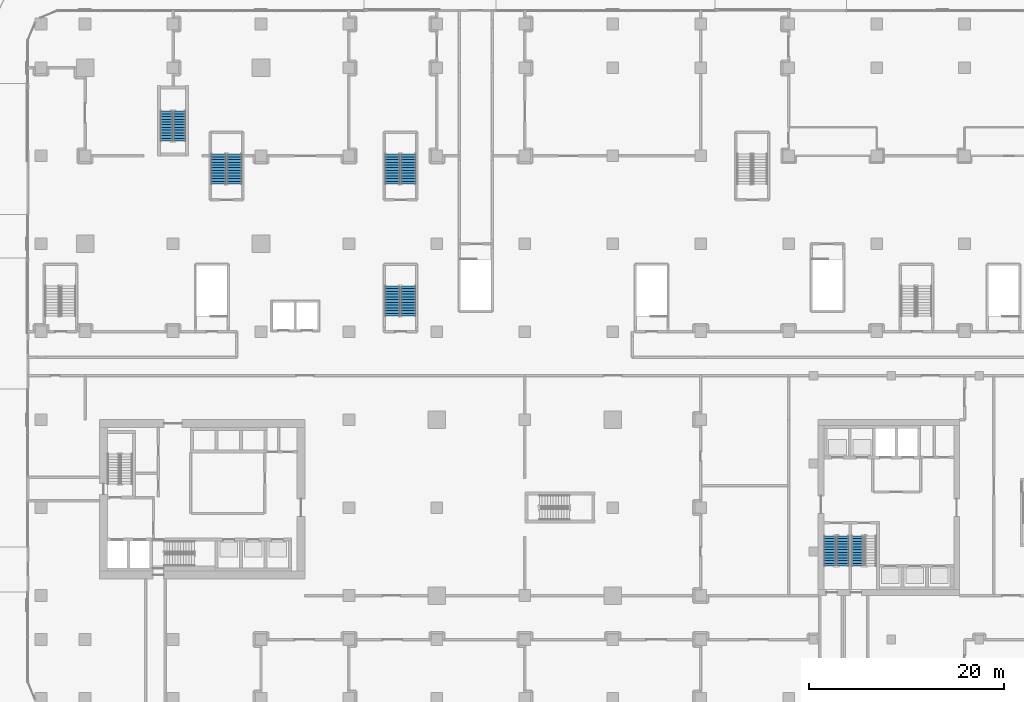
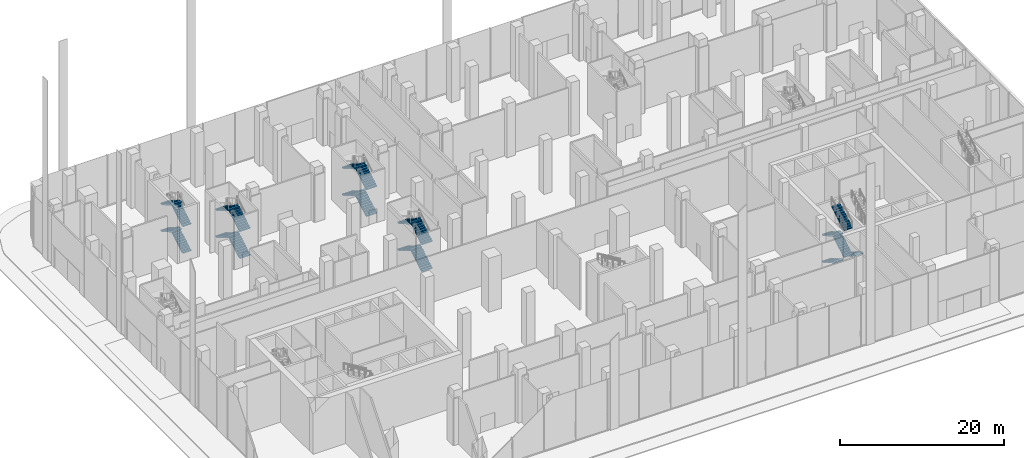
# One storey, part 28 of 42: 21 stair flights, 6 elements without a shape of their own.
"""IFC4 building model written with IfcOpenShell, lengths in metres."""

from ifc_helpers import new_model, si_unit, direction, frame, origin, place, context, subcontext, project, spatial, polyline, outline, extrude, material, type_object, element, aggregate, save


model = new_model("IFC4")

# Units and contexts
model_context = context("Model", 3, precision=1e-05, world=origin(), true_north=direction((0.0, 1.0)))
body_context = subcontext(model_context, "Body", "Model", "MODEL_VIEW")
ifc_project = project(units=[si_unit("LENGTHUNIT", "METRE"), si_unit("AREAUNIT", "SQUARE_METRE"), si_unit("VOLUMEUNIT", "CUBIC_METRE"), si_unit("PLANEANGLEUNIT", "RADIAN"), si_unit("MASSUNIT", "GRAM", prefix="KILO")], contexts=[model_context])

# Site, building, storey
site_placement = place(None, origin())
site = spatial("IfcSite", under=ifc_project, at=site_placement, CompositionType="ELEMENT")
building_placement = place(site_placement, origin())
building = spatial("IfcBuilding", under=site, at=building_placement, Name="Plateau Cross Towers", CompositionType="ELEMENT")
storey_placement = place(building_placement, origin())
storey = spatial("IfcBuildingStorey", under=building, at=storey_placement, Name="L00", CompositionType="ELEMENT", Elevation=0.0)

# Stair, stair flights
ifc_material = material(Name="Concrete C40/50", Category="concrete")
stair_type_1 = type_object("IfcStairType", Name="Podium exit stair 1500", PredefinedType="HALF_TURN_STAIR", material=ifc_material)
stair_1_placement = place(storey_placement, origin())
stair_1 = element("IfcStair", 1, at=stair_1_placement, inside=storey, type_object=stair_type_1, Name="L00 Exit Stair 1", PredefinedType="HALF_TURN_STAIR")
stair_flight_type_1 = type_object("IfcStairFlightType", Name="Podium stair flight 1500", PredefinedType="STRAIGHT", material=ifc_material)
stair_flight_1_placement = place(storey_placement, frame((33.10009765625, 28.60009765625, 0.0), z_axis=(0.0, 0.0, 1.0), x_axis=(0.0, 1.0, 0.0)))
stair_flight_1 = element("IfcStairFlight", 2, at=stair_flight_1_placement, type_object=stair_flight_type_1, Name="PS1 flight 1", NumberOfRisers=12, NumberOfTreads=11, PredefinedType="STRAIGHT", RiserHeight=0.166666667, TreadLength=0.28, context=body_context, shape_type="SweptSolid", body=[
    extrude(outline(polyline([(-0.0048828125, -0.010009765625), (-0.0048828125, 0.0), (0.0, 0.0), (0.0, 0.166748046875), (0.280029296875, 0.166748046875), (0.280029296875, 0.333251953125), (0.56005859375, 0.333251953125), (0.56005859375, 0.5), (0.840087890625, 0.5), (0.840087890625, 0.666748046875), (1.1201171875, 0.666748046875), (1.1201171875, 0.833251953125), (1.39990234375, 0.833251953125), (1.39990234375, 1.0), (1.679931640625, 1.0), (1.679931640625, 1.166748046875), (1.9599609375, 1.166748046875), (1.9599609375, 1.333251953125), (2.239990234375, 1.333251953125), (2.239990234375, 1.5), (2.52001953125, 1.5), (2.52001953125, 1.666748046875), (2.800048828125, 1.666748046875), (2.800048828125, 1.833251953125), (3.080078125, 1.833251953125), (3.0849609375, 1.8232421875), (3.0849609375, 1.658935546875), (3.080078125, 1.658935546875), (0.29296875, 0.0), (0.02001953125, 0.0), (0.02001953125, -0.010009765625), (-0.0048828125, -0.010009765625)])), frame((0.0, 0.75, 0.0), z_axis=(0.0, -1.0, 0.0), x_axis=(1.0, 0.0, 0.0)), (0.0, 0.0, 1.0), 1.5),
])
stair_flight_2_placement = place(storey_placement, frame((31.449951171875, 31.679931640625, 2.0), z_axis=(0.0, 0.0, 1.0), x_axis=(0.0, -1.0, 0.0)))
stair_flight_2 = element("IfcStairFlight", 3, at=stair_flight_2_placement, type_object=stair_flight_type_1, Name="PS1 flight 2", NumberOfRisers=12, NumberOfTreads=11, PredefinedType="STRAIGHT", RiserHeight=0.166666667, TreadLength=0.28, context=body_context, shape_type="SweptSolid", body=[
    extrude(outline(polyline([(-0.0048828125, -0.010009765625), (-0.0048828125, 0.0), (0.0, 0.0), (0.0, 0.166748046875), (0.280029296875, 0.166748046875), (0.280029296875, 0.333251953125), (0.56005859375, 0.333251953125), (0.56005859375, 0.5), (0.840087890625, 0.5), (0.840087890625, 0.666748046875), (1.1201171875, 0.666748046875), (1.1201171875, 0.833251953125), (1.39990234375, 0.833251953125), (1.39990234375, 1.0), (1.679931640625, 1.0), (1.679931640625, 1.166748046875), (1.9599609375, 1.166748046875), (1.9599609375, 1.333251953125), (2.239990234375, 1.333251953125), (2.239990234375, 1.5), (2.52001953125, 1.5), (2.52001953125, 1.666748046875), (2.800048828125, 1.666748046875), (2.800048828125, 1.833251953125), (3.080078125, 1.833251953125), (3.0849609375, 1.8232421875), (3.0849609375, 1.658935546875), (3.080078125, 1.658935546875), (0.29296875, 0.0), (0.02001953125, 0.0), (0.02001953125, -0.010009765625), (-0.0048828125, -0.010009765625)])), frame((0.0, 0.75, 0.0), z_axis=(0.0, -1.0, 0.0), x_axis=(1.0, 0.0, 0.0)), (0.0, 0.0, 1.0), 1.5),
])
stair_flight_3_placement = place(storey_placement, frame((33.10009765625, 28.60009765625, 4.0), z_axis=(0.0, 0.0, 1.0), x_axis=(0.0, 1.0, 0.0)))
stair_flight_3 = element("IfcStairFlight", 4, at=stair_flight_3_placement, type_object=stair_flight_type_1, Name="PS1 flight 3", NumberOfRisers=12, NumberOfTreads=11, PredefinedType="STRAIGHT", RiserHeight=0.166666667, TreadLength=0.28, context=body_context, shape_type="SweptSolid", body=[
    extrude(outline(polyline([(-0.0048828125, -0.010009765625), (-0.0048828125, 0.0), (0.0, 0.0), (0.0, 0.166748046875), (0.280029296875, 0.166748046875), (0.280029296875, 0.333251953125), (0.56005859375, 0.333251953125), (0.56005859375, 0.5), (0.840087890625, 0.5), (0.840087890625, 0.666748046875), (1.1201171875, 0.666748046875), (1.1201171875, 0.833251953125), (1.39990234375, 0.833251953125), (1.39990234375, 1.0), (1.679931640625, 1.0), (1.679931640625, 1.166748046875), (1.9599609375, 1.166748046875), (1.9599609375, 1.333251953125), (2.239990234375, 1.333251953125), (2.239990234375, 1.5), (2.52001953125, 1.5), (2.52001953125, 1.666748046875), (2.800048828125, 1.666748046875), (2.800048828125, 1.833251953125), (3.080078125, 1.833251953125), (3.0849609375, 1.8232421875), (3.0849609375, 1.658935546875), (3.080078125, 1.658935546875), (0.29296875, 0.0), (0.02001953125, 0.0), (0.02001953125, -0.010009765625), (-0.0048828125, -0.010009765625)])), frame((0.0, 0.75, 0.0), z_axis=(0.0, -1.0, 0.0), x_axis=(1.0, 0.0, 0.0)), (0.0, 0.0, 1.0), 1.5),
])
stair_flight_4_placement = place(storey_placement, frame((31.449951171875, 31.679931640625, 6.0), z_axis=(0.0, 0.0, 1.0), x_axis=(0.0, -1.0, 0.0)))
stair_flight_4 = element("IfcStairFlight", 5, at=stair_flight_4_placement, type_object=stair_flight_type_1, Name="PS1 flight 4", NumberOfRisers=12, NumberOfTreads=11, PredefinedType="STRAIGHT", RiserHeight=0.166666667, TreadLength=0.28, context=body_context, shape_type="SweptSolid", body=[
    extrude(outline(polyline([(-0.0048828125, -0.010009765625), (-0.0048828125, 0.0), (0.0, 0.0), (0.0, 0.166748046875), (0.280029296875, 0.166748046875), (0.280029296875, 0.333251953125), (0.56005859375, 0.333251953125), (0.56005859375, 0.5), (0.840087890625, 0.5), (0.840087890625, 0.666748046875), (1.1201171875, 0.666748046875), (1.1201171875, 0.833251953125), (1.39990234375, 0.833251953125), (1.39990234375, 1.0), (1.679931640625, 1.0), (1.679931640625, 1.166748046875), (1.9599609375, 1.166748046875), (1.9599609375, 1.333251953125), (2.239990234375, 1.333251953125), (2.239990234375, 1.5), (2.52001953125, 1.5), (2.52001953125, 1.666748046875), (2.800048828125, 1.666748046875), (2.800048828125, 1.833251953125), (3.080078125, 1.833251953125), (3.0849609375, 1.8232421875), (3.0849609375, 1.658935546875), (3.080078125, 1.658935546875), (0.29296875, 0.0), (0.02001953125, 0.0), (0.02001953125, -0.010009765625), (-0.0048828125, -0.010009765625)])), frame((0.0, 0.75, 0.0), z_axis=(0.0, -1.0, 0.0), x_axis=(1.0, 0.0, 0.0)), (0.0, 0.0, 1.0), 1.5),
])
aggregate(stair_1, [stair_flight_1, stair_flight_2, stair_flight_3, stair_flight_4])

stair_2_placement = place(storey_placement, origin())
stair_2 = element("IfcStair", 6, at=stair_2_placement, inside=storey, type_object=stair_type_1, Name="L00 Exit Stair 2", PredefinedType="HALF_TURN_STAIR")
stair_flight_5_placement = place(storey_placement, frame((33.10009765625, 42.10009765625, 0.0), z_axis=(0.0, 0.0, 1.0), x_axis=(0.0, 1.0, 0.0)))
stair_flight_5 = element("IfcStairFlight", 7, at=stair_flight_5_placement, type_object=stair_flight_type_1, Name="PS2 flight 1", NumberOfRisers=12, NumberOfTreads=11, PredefinedType="STRAIGHT", RiserHeight=0.166666667, TreadLength=0.28, context=body_context, shape_type="SweptSolid", body=[
    extrude(outline(polyline([(-0.0048828125, -0.010009765625), (-0.0048828125, 0.0), (0.0, 0.0), (0.0, 0.166748046875), (0.280029296875, 0.166748046875), (0.280029296875, 0.333251953125), (0.56005859375, 0.333251953125), (0.56005859375, 0.5), (0.840087890625, 0.5), (0.840087890625, 0.666748046875), (1.1201171875, 0.666748046875), (1.1201171875, 0.833251953125), (1.39990234375, 0.833251953125), (1.39990234375, 1.0), (1.679931640625, 1.0), (1.679931640625, 1.166748046875), (1.9599609375, 1.166748046875), (1.9599609375, 1.333251953125), (2.239990234375, 1.333251953125), (2.239990234375, 1.5), (2.52001953125, 1.5), (2.52001953125, 1.666748046875), (2.800048828125, 1.666748046875), (2.800048828125, 1.833251953125), (3.080078125, 1.833251953125), (3.0849609375, 1.8232421875), (3.0849609375, 1.658935546875), (3.080078125, 1.658935546875), (0.29296875, 0.0), (0.02001953125, 0.0), (0.02001953125, -0.010009765625), (-0.0048828125, -0.010009765625)])), frame((0.0, 0.75, 0.0), z_axis=(0.0, -1.0, 0.0), x_axis=(1.0, 0.0, 0.0)), (0.0, 0.0, 1.0), 1.5),
])
stair_flight_6_placement = place(storey_placement, frame((31.449951171875, 45.179931640625, 2.0), z_axis=(0.0, 0.0, 1.0), x_axis=(0.0, -1.0, 0.0)))
stair_flight_6 = element("IfcStairFlight", 8, at=stair_flight_6_placement, type_object=stair_flight_type_1, Name="PS2 flight 2", NumberOfRisers=12, NumberOfTreads=11, PredefinedType="STRAIGHT", RiserHeight=0.166666667, TreadLength=0.28, context=body_context, shape_type="SweptSolid", body=[
    extrude(outline(polyline([(-0.0048828125, -0.010009765625), (-0.0048828125, 0.0), (0.0, 0.0), (0.0, 0.166748046875), (0.280029296875, 0.166748046875), (0.280029296875, 0.333251953125), (0.56005859375, 0.333251953125), (0.56005859375, 0.5), (0.840087890625, 0.5), (0.840087890625, 0.666748046875), (1.1201171875, 0.666748046875), (1.1201171875, 0.833251953125), (1.39990234375, 0.833251953125), (1.39990234375, 1.0), (1.679931640625, 1.0), (1.679931640625, 1.166748046875), (1.9599609375, 1.166748046875), (1.9599609375, 1.333251953125), (2.239990234375, 1.333251953125), (2.239990234375, 1.5), (2.52001953125, 1.5), (2.52001953125, 1.666748046875), (2.800048828125, 1.666748046875), (2.800048828125, 1.833251953125), (3.080078125, 1.833251953125), (3.0849609375, 1.8232421875), (3.0849609375, 1.658935546875), (3.080078125, 1.658935546875), (0.29296875, 0.0), (0.02001953125, 0.0), (0.02001953125, -0.010009765625), (-0.0048828125, -0.010009765625)])), frame((0.0, 0.75, 0.0), z_axis=(0.0, -1.0, 0.0), x_axis=(1.0, 0.0, 0.0)), (0.0, 0.0, 1.0), 1.5),
])
stair_flight_7_placement = place(storey_placement, frame((33.10009765625, 42.10009765625, 4.0), z_axis=(0.0, 0.0, 1.0), x_axis=(0.0, 1.0, 0.0)))
stair_flight_7 = element("IfcStairFlight", 9, at=stair_flight_7_placement, type_object=stair_flight_type_1, Name="PS2 flight 3", NumberOfRisers=12, NumberOfTreads=11, PredefinedType="STRAIGHT", RiserHeight=0.166666667, TreadLength=0.28, context=body_context, shape_type="SweptSolid", body=[
    extrude(outline(polyline([(-0.0048828125, -0.010009765625), (-0.0048828125, 0.0), (0.0, 0.0), (0.0, 0.166748046875), (0.280029296875, 0.166748046875), (0.280029296875, 0.333251953125), (0.56005859375, 0.333251953125), (0.56005859375, 0.5), (0.840087890625, 0.5), (0.840087890625, 0.666748046875), (1.1201171875, 0.666748046875), (1.1201171875, 0.833251953125), (1.39990234375, 0.833251953125), (1.39990234375, 1.0), (1.679931640625, 1.0), (1.679931640625, 1.166748046875), (1.9599609375, 1.166748046875), (1.9599609375, 1.333251953125), (2.239990234375, 1.333251953125), (2.239990234375, 1.5), (2.52001953125, 1.5), (2.52001953125, 1.666748046875), (2.800048828125, 1.666748046875), (2.800048828125, 1.833251953125), (3.080078125, 1.833251953125), (3.0849609375, 1.8232421875), (3.0849609375, 1.658935546875), (3.080078125, 1.658935546875), (0.29296875, 0.0), (0.02001953125, 0.0), (0.02001953125, -0.010009765625), (-0.0048828125, -0.010009765625)])), frame((0.0, 0.75, 0.0), z_axis=(0.0, -1.0, 0.0), x_axis=(1.0, 0.0, 0.0)), (0.0, 0.0, 1.0), 1.5),
])
stair_flight_8_placement = place(storey_placement, frame((31.449951171875, 45.179931640625, 6.0), z_axis=(0.0, 0.0, 1.0), x_axis=(0.0, -1.0, 0.0)))
stair_flight_8 = element("IfcStairFlight", 10, at=stair_flight_8_placement, type_object=stair_flight_type_1, Name="PS2 flight 4", NumberOfRisers=12, NumberOfTreads=11, PredefinedType="STRAIGHT", RiserHeight=0.166666667, TreadLength=0.28, context=body_context, shape_type="SweptSolid", body=[
    extrude(outline(polyline([(-0.0048828125, -0.010009765625), (-0.0048828125, 0.0), (0.0, 0.0), (0.0, 0.166748046875), (0.280029296875, 0.166748046875), (0.280029296875, 0.333251953125), (0.56005859375, 0.333251953125), (0.56005859375, 0.5), (0.840087890625, 0.5), (0.840087890625, 0.666748046875), (1.1201171875, 0.666748046875), (1.1201171875, 0.833251953125), (1.39990234375, 0.833251953125), (1.39990234375, 1.0), (1.679931640625, 1.0), (1.679931640625, 1.166748046875), (1.9599609375, 1.166748046875), (1.9599609375, 1.333251953125), (2.239990234375, 1.333251953125), (2.239990234375, 1.5), (2.52001953125, 1.5), (2.52001953125, 1.666748046875), (2.800048828125, 1.666748046875), (2.800048828125, 1.833251953125), (3.080078125, 1.833251953125), (3.0849609375, 1.8232421875), (3.0849609375, 1.658935546875), (3.080078125, 1.658935546875), (0.29296875, 0.0), (0.02001953125, 0.0), (0.02001953125, -0.010009765625), (-0.0048828125, -0.010009765625)])), frame((0.0, 0.75, 0.0), z_axis=(0.0, -1.0, 0.0), x_axis=(1.0, 0.0, 0.0)), (0.0, 0.0, 1.0), 1.5),
])
aggregate(stair_2, [stair_flight_5, stair_flight_6, stair_flight_7, stair_flight_8])

stair_3_placement = place(storey_placement, origin())
stair_3 = element("IfcStair", 11, at=stair_3_placement, inside=storey, type_object=stair_type_1, Name="L00 Exit Stair 6", PredefinedType="HALF_TURN_STAIR")
stair_flight_9_placement = place(storey_placement, frame((15.300048828125, 42.10009765625, 0.0), z_axis=(0.0, 0.0, 1.0), x_axis=(0.0, 1.0, 0.0)))
stair_flight_9 = element("IfcStairFlight", 12, at=stair_flight_9_placement, type_object=stair_flight_type_1, Name="PS6 flight 1", NumberOfRisers=12, NumberOfTreads=11, PredefinedType="STRAIGHT", RiserHeight=0.166666667, TreadLength=0.28, context=body_context, shape_type="SweptSolid", body=[
    extrude(outline(polyline([(-0.0048828125, -0.010009765625), (-0.0048828125, 0.0), (0.0, 0.0), (0.0, 0.166748046875), (0.280029296875, 0.166748046875), (0.280029296875, 0.333251953125), (0.56005859375, 0.333251953125), (0.56005859375, 0.5), (0.840087890625, 0.5), (0.840087890625, 0.666748046875), (1.1201171875, 0.666748046875), (1.1201171875, 0.833251953125), (1.39990234375, 0.833251953125), (1.39990234375, 1.0), (1.679931640625, 1.0), (1.679931640625, 1.166748046875), (1.9599609375, 1.166748046875), (1.9599609375, 1.333251953125), (2.239990234375, 1.333251953125), (2.239990234375, 1.5), (2.52001953125, 1.5), (2.52001953125, 1.666748046875), (2.800048828125, 1.666748046875), (2.800048828125, 1.833251953125), (3.080078125, 1.833251953125), (3.0849609375, 1.8232421875), (3.0849609375, 1.658935546875), (3.080078125, 1.658935546875), (0.29296875, 0.0), (0.02001953125, 0.0), (0.02001953125, -0.010009765625), (-0.0048828125, -0.010009765625)])), frame((0.0, 0.75, 0.0), z_axis=(0.0, -1.0, 0.0), x_axis=(1.0, 0.0, 0.0)), (0.0, 0.0, 1.0), 1.5),
])
stair_flight_10_placement = place(storey_placement, frame((13.64990234375, 45.179931640625, 2.0), z_axis=(0.0, 0.0, 1.0), x_axis=(0.0, -1.0, 0.0)))
stair_flight_10 = element("IfcStairFlight", 13, at=stair_flight_10_placement, type_object=stair_flight_type_1, Name="PS6 flight 2", NumberOfRisers=12, NumberOfTreads=11, PredefinedType="STRAIGHT", RiserHeight=0.166666667, TreadLength=0.28, context=body_context, shape_type="SweptSolid", body=[
    extrude(outline(polyline([(-0.0048828125, -0.010009765625), (-0.0048828125, 0.0), (0.0, 0.0), (0.0, 0.166748046875), (0.280029296875, 0.166748046875), (0.280029296875, 0.333251953125), (0.56005859375, 0.333251953125), (0.56005859375, 0.5), (0.840087890625, 0.5), (0.840087890625, 0.666748046875), (1.1201171875, 0.666748046875), (1.1201171875, 0.833251953125), (1.39990234375, 0.833251953125), (1.39990234375, 1.0), (1.679931640625, 1.0), (1.679931640625, 1.166748046875), (1.9599609375, 1.166748046875), (1.9599609375, 1.333251953125), (2.239990234375, 1.333251953125), (2.239990234375, 1.5), (2.52001953125, 1.5), (2.52001953125, 1.666748046875), (2.800048828125, 1.666748046875), (2.800048828125, 1.833251953125), (3.080078125, 1.833251953125), (3.0849609375, 1.8232421875), (3.0849609375, 1.658935546875), (3.080078125, 1.658935546875), (0.29296875, 0.0), (0.02001953125, 0.0), (0.02001953125, -0.010009765625), (-0.0048828125, -0.010009765625)])), frame((0.0, 0.75, 0.0), z_axis=(0.0, -1.0, 0.0), x_axis=(1.0, 0.0, 0.0)), (0.0, 0.0, 1.0), 1.5),
])
stair_flight_11_placement = place(storey_placement, frame((15.300048828125, 42.10009765625, 4.0), z_axis=(0.0, 0.0, 1.0), x_axis=(0.0, 1.0, 0.0)))
stair_flight_11 = element("IfcStairFlight", 14, at=stair_flight_11_placement, type_object=stair_flight_type_1, Name="PS6 flight 3", NumberOfRisers=12, NumberOfTreads=11, PredefinedType="STRAIGHT", RiserHeight=0.166666667, TreadLength=0.28, context=body_context, shape_type="SweptSolid", body=[
    extrude(outline(polyline([(-0.0048828125, -0.010009765625), (-0.0048828125, 0.0), (0.0, 0.0), (0.0, 0.166748046875), (0.280029296875, 0.166748046875), (0.280029296875, 0.333251953125), (0.56005859375, 0.333251953125), (0.56005859375, 0.5), (0.840087890625, 0.5), (0.840087890625, 0.666748046875), (1.1201171875, 0.666748046875), (1.1201171875, 0.833251953125), (1.39990234375, 0.833251953125), (1.39990234375, 1.0), (1.679931640625, 1.0), (1.679931640625, 1.166748046875), (1.9599609375, 1.166748046875), (1.9599609375, 1.333251953125), (2.239990234375, 1.333251953125), (2.239990234375, 1.5), (2.52001953125, 1.5), (2.52001953125, 1.666748046875), (2.800048828125, 1.666748046875), (2.800048828125, 1.833251953125), (3.080078125, 1.833251953125), (3.0849609375, 1.8232421875), (3.0849609375, 1.658935546875), (3.080078125, 1.658935546875), (0.29296875, 0.0), (0.02001953125, 0.0), (0.02001953125, -0.010009765625), (-0.0048828125, -0.010009765625)])), frame((0.0, 0.75, 0.0), z_axis=(0.0, -1.0, 0.0), x_axis=(1.0, 0.0, 0.0)), (0.0, 0.0, 1.0), 1.5),
])
stair_flight_12_placement = place(storey_placement, frame((13.64990234375, 45.179931640625, 6.0), z_axis=(0.0, 0.0, 1.0), x_axis=(0.0, -1.0, 0.0)))
stair_flight_12 = element("IfcStairFlight", 15, at=stair_flight_12_placement, type_object=stair_flight_type_1, Name="PS6 flight 4", NumberOfRisers=12, NumberOfTreads=11, PredefinedType="STRAIGHT", RiserHeight=0.166666667, TreadLength=0.28, context=body_context, shape_type="SweptSolid", body=[
    extrude(outline(polyline([(-0.0048828125, -0.010009765625), (-0.0048828125, 0.0), (0.0, 0.0), (0.0, 0.166748046875), (0.280029296875, 0.166748046875), (0.280029296875, 0.333251953125), (0.56005859375, 0.333251953125), (0.56005859375, 0.5), (0.840087890625, 0.5), (0.840087890625, 0.666748046875), (1.1201171875, 0.666748046875), (1.1201171875, 0.833251953125), (1.39990234375, 0.833251953125), (1.39990234375, 1.0), (1.679931640625, 1.0), (1.679931640625, 1.166748046875), (1.9599609375, 1.166748046875), (1.9599609375, 1.333251953125), (2.239990234375, 1.333251953125), (2.239990234375, 1.5), (2.52001953125, 1.5), (2.52001953125, 1.666748046875), (2.800048828125, 1.666748046875), (2.800048828125, 1.833251953125), (3.080078125, 1.833251953125), (3.0849609375, 1.8232421875), (3.0849609375, 1.658935546875), (3.080078125, 1.658935546875), (0.29296875, 0.0), (0.02001953125, 0.0), (0.02001953125, -0.010009765625), (-0.0048828125, -0.010009765625)])), frame((0.0, 0.75, 0.0), z_axis=(0.0, -1.0, 0.0), x_axis=(1.0, 0.0, 0.0)), (0.0, 0.0, 1.0), 1.5),
])
aggregate(stair_3, [stair_flight_9, stair_flight_10, stair_flight_11, stair_flight_12])

stair_type_2 = type_object("IfcStairType", Name="ST-TWR", PredefinedType="HALF_TURN_STAIR", material=ifc_material)
stair_4_placement = place(storey_placement, origin())
stair_4 = element("IfcStair", 16, at=stair_4_placement, inside=storey, type_object=stair_type_2, Name="L00 Protected Exit Stair SB-1", PredefinedType="HALF_TURN_STAIR")
stair_flight_type_2 = type_object("IfcStairFlightType", Name="SFL-RC", PredefinedType="STRAIGHT", material=ifc_material)
stair_flight_13_placement = place(storey_placement, frame((76.199951171875, 6.10009765625, 0.0), z_axis=(0.0, 0.0, 1.0), x_axis=(0.0, -1.0, 0.0)))
stair_flight_13 = element("IfcStairFlight", 17, at=stair_flight_13_placement, type_object=stair_flight_type_2, Name="SB-1 flight 1", NumberOfRisers=12, NumberOfTreads=11, PredefinedType="STRAIGHT", RiserHeight=0.166666667, TreadLength=0.28, context=body_context, shape_type="SweptSolid", body=[
    extrude(outline(polyline([(-0.0048828125, -0.010009765625), (-0.0048828125, 0.0), (0.0, 0.0), (0.0, 0.166748046875), (0.280029296875, 0.166748046875), (0.280029296875, 0.333251953125), (0.56005859375, 0.333251953125), (0.56005859375, 0.5), (0.840087890625, 0.5), (0.840087890625, 0.666748046875), (1.1201171875, 0.666748046875), (1.1201171875, 0.833251953125), (1.39990234375, 0.833251953125), (1.39990234375, 1.0), (1.679931640625, 1.0), (1.679931640625, 1.166748046875), (1.9599609375, 1.166748046875), (1.9599609375, 1.333251953125), (2.239990234375, 1.333251953125), (2.239990234375, 1.5), (2.52001953125, 1.5), (2.52001953125, 1.666748046875), (2.800048828125, 1.666748046875), (2.800048828125, 1.833251953125), (3.080078125, 1.833251953125), (3.0849609375, 1.8232421875), (3.0849609375, 1.658935546875), (3.080078125, 1.658935546875), (0.29296875, 0.0), (0.02001953125, 0.0), (0.02001953125, -0.010009765625), (-0.0048828125, -0.010009765625)])), frame((0.0, 0.60009765625, 0.0), z_axis=(0.0, -1.0, 0.0), x_axis=(1.0, 0.0, 0.0)), (0.0, 0.0, 1.0), 1.199951171875),
])
stair_flight_14_placement = place(storey_placement, frame((77.550048828125, 3.02001953125, 2.0), z_axis=(0.0, 0.0, 1.0), x_axis=(0.0, 1.0, 0.0)))
stair_flight_14 = element("IfcStairFlight", 18, at=stair_flight_14_placement, type_object=stair_flight_type_2, Name="SB-1 flight 2", NumberOfRisers=12, NumberOfTreads=11, PredefinedType="STRAIGHT", RiserHeight=0.166666667, TreadLength=0.28, context=body_context, shape_type="SweptSolid", body=[
    extrude(outline(polyline([(-0.0048828125, -0.010009765625), (-0.0048828125, 0.0), (0.0, 0.0), (0.0, 0.166748046875), (0.280029296875, 0.166748046875), (0.280029296875, 0.333251953125), (0.56005859375, 0.333251953125), (0.56005859375, 0.5), (0.840087890625, 0.5), (0.840087890625, 0.666748046875), (1.1201171875, 0.666748046875), (1.1201171875, 0.833251953125), (1.39990234375, 0.833251953125), (1.39990234375, 1.0), (1.679931640625, 1.0), (1.679931640625, 1.166748046875), (1.9599609375, 1.166748046875), (1.9599609375, 1.333251953125), (2.239990234375, 1.333251953125), (2.239990234375, 1.5), (2.52001953125, 1.5), (2.52001953125, 1.666748046875), (2.800048828125, 1.666748046875), (2.800048828125, 1.833251953125), (3.080078125, 1.833251953125), (3.0849609375, 1.8232421875), (3.0849609375, 1.658935546875), (3.080078125, 1.658935546875), (0.29296875, 0.0), (0.02001953125, 0.0), (0.02001953125, -0.010009765625), (-0.0048828125, -0.010009765625)])), frame((0.0, 0.60009765625, 0.0), z_axis=(0.0, -1.0, 0.0), x_axis=(1.0, 0.0, 0.0)), (0.0, 0.0, 1.0), 1.199951171875),
])
stair_flight_15_placement = place(storey_placement, frame((76.199951171875, 6.10009765625, 4.0), z_axis=(0.0, 0.0, 1.0), x_axis=(0.0, -1.0, 0.0)))
stair_flight_15 = element("IfcStairFlight", 19, at=stair_flight_15_placement, type_object=stair_flight_type_2, Name="SB-1 flight 3", NumberOfRisers=12, NumberOfTreads=11, PredefinedType="STRAIGHT", RiserHeight=0.166666667, TreadLength=0.28, context=body_context, shape_type="SweptSolid", body=[
    extrude(outline(polyline([(-0.0048828125, -0.010009765625), (-0.0048828125, 0.0), (0.0, 0.0), (0.0, 0.166748046875), (0.280029296875, 0.166748046875), (0.280029296875, 0.333251953125), (0.56005859375, 0.333251953125), (0.56005859375, 0.5), (0.840087890625, 0.5), (0.840087890625, 0.666748046875), (1.1201171875, 0.666748046875), (1.1201171875, 0.833251953125), (1.39990234375, 0.833251953125), (1.39990234375, 1.0), (1.679931640625, 1.0), (1.679931640625, 1.166748046875), (1.9599609375, 1.166748046875), (1.9599609375, 1.333251953125), (2.239990234375, 1.333251953125), (2.239990234375, 1.5), (2.52001953125, 1.5), (2.52001953125, 1.666748046875), (2.800048828125, 1.666748046875), (2.800048828125, 1.833251953125), (3.080078125, 1.833251953125), (3.0849609375, 1.8232421875), (3.0849609375, 1.658935546875), (3.080078125, 1.658935546875), (0.29296875, 0.0), (0.02001953125, 0.0), (0.02001953125, -0.010009765625), (-0.0048828125, -0.010009765625)])), frame((0.0, 0.60009765625, 0.0), z_axis=(0.0, -1.0, 0.0), x_axis=(1.0, 0.0, 0.0)), (0.0, 0.0, 1.0), 1.199951171875),
])
stair_flight_16_placement = place(storey_placement, frame((77.550048828125, 3.02001953125, 6.0), z_axis=(0.0, 0.0, 1.0), x_axis=(0.0, 1.0, 0.0)))
stair_flight_16 = element("IfcStairFlight", 20, at=stair_flight_16_placement, type_object=stair_flight_type_2, Name="SB-1 flight 4", NumberOfRisers=12, NumberOfTreads=11, PredefinedType="STRAIGHT", RiserHeight=0.166666667, TreadLength=0.28, context=body_context, shape_type="SweptSolid", body=[
    extrude(outline(polyline([(-0.0048828125, -0.010009765625), (-0.0048828125, 0.0), (0.0, 0.0), (0.0, 0.166748046875), (0.280029296875, 0.166748046875), (0.280029296875, 0.333251953125), (0.56005859375, 0.333251953125), (0.56005859375, 0.5), (0.840087890625, 0.5), (0.840087890625, 0.666748046875), (1.1201171875, 0.666748046875), (1.1201171875, 0.833251953125), (1.39990234375, 0.833251953125), (1.39990234375, 1.0), (1.679931640625, 1.0), (1.679931640625, 1.166748046875), (1.9599609375, 1.166748046875), (1.9599609375, 1.333251953125), (2.239990234375, 1.333251953125), (2.239990234375, 1.5), (2.52001953125, 1.5), (2.52001953125, 1.666748046875), (2.800048828125, 1.666748046875), (2.800048828125, 1.833251953125), (3.080078125, 1.833251953125), (3.0849609375, 1.8232421875), (3.0849609375, 1.658935546875), (3.080078125, 1.658935546875), (0.29296875, 0.0), (0.02001953125, 0.0), (0.02001953125, -0.010009765625), (-0.0048828125, -0.010009765625)])), frame((0.0, 0.60009765625, 0.0), z_axis=(0.0, -1.0, 0.0), x_axis=(1.0, 0.0, 0.0)), (0.0, 0.0, 1.0), 1.199951171875),
])
aggregate(stair_4, [stair_flight_13, stair_flight_14, stair_flight_15, stair_flight_16])

# Stair, stair flight
stair_5_placement = place(storey_placement, origin())
stair_5 = element("IfcStair", 21, at=stair_5_placement, inside=storey, type_object=stair_type_2, Name="L00 Protected Exit Stair SB-2", PredefinedType="HALF_TURN_STAIR")
stair_flight_17_placement = place(storey_placement, frame((79.050048828125, 6.10009765625, 0.0), z_axis=(0.0, 0.0, 1.0), x_axis=(0.0, -1.0, 0.0)))
stair_flight_17 = element("IfcStairFlight", 22, at=stair_flight_17_placement, type_object=stair_flight_type_2, Name="SB-2 flight 1", NumberOfRisers=12, NumberOfTreads=11, PredefinedType="STRAIGHT", RiserHeight=0.166666667, TreadLength=0.28, context=body_context, shape_type="SweptSolid", body=[
    extrude(outline(polyline([(-0.0048828125, -0.010009765625), (-0.0048828125, 0.0), (0.0, 0.0), (0.0, 0.166748046875), (0.280029296875, 0.166748046875), (0.280029296875, 0.333251953125), (0.56005859375, 0.333251953125), (0.56005859375, 0.5), (0.840087890625, 0.5), (0.840087890625, 0.666748046875), (1.1201171875, 0.666748046875), (1.1201171875, 0.833251953125), (1.39990234375, 0.833251953125), (1.39990234375, 1.0), (1.679931640625, 1.0), (1.679931640625, 1.166748046875), (1.9599609375, 1.166748046875), (1.9599609375, 1.333251953125), (2.239990234375, 1.333251953125), (2.239990234375, 1.5), (2.52001953125, 1.5), (2.52001953125, 1.666748046875), (2.800048828125, 1.666748046875), (2.800048828125, 1.833251953125), (3.080078125, 1.833251953125), (3.0849609375, 1.8232421875), (3.0849609375, 1.658935546875), (3.080078125, 1.658935546875), (0.29296875, 0.0), (0.02001953125, 0.0), (0.02001953125, -0.010009765625), (-0.0048828125, -0.010009765625)])), frame((0.0, 0.60009765625, 0.0), z_axis=(0.0, -1.0, 0.0), x_axis=(1.0, 0.0, 0.0)), (0.0, 0.0, 1.0), 1.199951171875),
])
aggregate(stair_5, [stair_flight_17])

# Stair, stair flights
stair_6_placement = place(storey_placement, origin())
stair_6 = element("IfcStair", 23, at=stair_6_placement, inside=storey, type_object=stair_type_2, Name="L00 Protected Exit Stair N", PredefinedType="HALF_TURN_STAIR")
stair_flight_18_placement = place(storey_placement, frame((9.675048828125, 46.5, 0.0), z_axis=(0.0, 0.0, 1.0), x_axis=(0.0, 1.0, 0.0)))
stair_flight_18 = element("IfcStairFlight", 24, at=stair_flight_18_placement, type_object=stair_flight_type_2, Name="ES-N flight 1", NumberOfRisers=12, NumberOfTreads=11, PredefinedType="STRAIGHT", RiserHeight=0.166666667, TreadLength=0.28, context=body_context, shape_type="SweptSolid", body=[
    extrude(outline(polyline([(-0.0048828125, -0.010009765625), (-0.0048828125, 0.0), (0.0, 0.0), (0.0, 0.166748046875), (0.280029296875, 0.166748046875), (0.280029296875, 0.333251953125), (0.56005859375, 0.333251953125), (0.56005859375, 0.5), (0.840087890625, 0.5), (0.840087890625, 0.666748046875), (1.1201171875, 0.666748046875), (1.1201171875, 0.833251953125), (1.39990234375, 0.833251953125), (1.39990234375, 1.0), (1.679931640625, 1.0), (1.679931640625, 1.166748046875), (1.9599609375, 1.166748046875), (1.9599609375, 1.333251953125), (2.239990234375, 1.333251953125), (2.239990234375, 1.5), (2.52001953125, 1.5), (2.52001953125, 1.666748046875), (2.800048828125, 1.666748046875), (2.800048828125, 1.833251953125), (3.080078125, 1.833251953125), (3.0849609375, 1.8232421875), (3.0849609375, 1.658935546875), (3.080078125, 1.658935546875), (0.29296875, 0.0), (0.02001953125, 0.0), (0.02001953125, -0.010009765625), (-0.0048828125, -0.010009765625)])), frame((0.0, 0.60009765625, 0.0), z_axis=(0.0, -1.0, 0.0), x_axis=(1.0, 0.0, 0.0)), (0.0, 0.0, 1.0), 1.199951171875),
])
stair_flight_19_placement = place(storey_placement, frame((8.324951171875, 49.580078125, 2.0), z_axis=(0.0, 0.0, 1.0), x_axis=(0.0, -1.0, 0.0)))
stair_flight_19 = element("IfcStairFlight", 25, at=stair_flight_19_placement, type_object=stair_flight_type_2, Name="ES-N flight 2", NumberOfRisers=12, NumberOfTreads=11, PredefinedType="STRAIGHT", RiserHeight=0.166666667, TreadLength=0.28, context=body_context, shape_type="SweptSolid", body=[
    extrude(outline(polyline([(-0.0048828125, -0.010009765625), (-0.0048828125, 0.0), (0.0, 0.0), (0.0, 0.166748046875), (0.280029296875, 0.166748046875), (0.280029296875, 0.333251953125), (0.56005859375, 0.333251953125), (0.56005859375, 0.5), (0.840087890625, 0.5), (0.840087890625, 0.666748046875), (1.1201171875, 0.666748046875), (1.1201171875, 0.833251953125), (1.39990234375, 0.833251953125), (1.39990234375, 1.0), (1.679931640625, 1.0), (1.679931640625, 1.166748046875), (1.9599609375, 1.166748046875), (1.9599609375, 1.333251953125), (2.239990234375, 1.333251953125), (2.239990234375, 1.5), (2.52001953125, 1.5), (2.52001953125, 1.666748046875), (2.800048828125, 1.666748046875), (2.800048828125, 1.833251953125), (3.080078125, 1.833251953125), (3.0849609375, 1.8232421875), (3.0849609375, 1.658935546875), (3.080078125, 1.658935546875), (0.29296875, 0.0), (0.02001953125, 0.0), (0.02001953125, -0.010009765625), (-0.0048828125, -0.010009765625)])), frame((0.0, 0.60009765625, 0.0), z_axis=(0.0, -1.0, 0.0), x_axis=(1.0, 0.0, 0.0)), (0.0, 0.0, 1.0), 1.199951171875),
])
stair_flight_20_placement = place(storey_placement, frame((9.675048828125, 46.5, 4.0), z_axis=(0.0, 0.0, 1.0), x_axis=(0.0, 1.0, 0.0)))
stair_flight_20 = element("IfcStairFlight", 26, at=stair_flight_20_placement, type_object=stair_flight_type_2, Name="ES-N flight 3", NumberOfRisers=12, NumberOfTreads=11, PredefinedType="STRAIGHT", RiserHeight=0.166666667, TreadLength=0.28, context=body_context, shape_type="SweptSolid", body=[
    extrude(outline(polyline([(-0.0048828125, -0.010009765625), (-0.0048828125, 0.0), (0.0, 0.0), (0.0, 0.166748046875), (0.280029296875, 0.166748046875), (0.280029296875, 0.333251953125), (0.56005859375, 0.333251953125), (0.56005859375, 0.5), (0.840087890625, 0.5), (0.840087890625, 0.666748046875), (1.1201171875, 0.666748046875), (1.1201171875, 0.833251953125), (1.39990234375, 0.833251953125), (1.39990234375, 1.0), (1.679931640625, 1.0), (1.679931640625, 1.166748046875), (1.9599609375, 1.166748046875), (1.9599609375, 1.333251953125), (2.239990234375, 1.333251953125), (2.239990234375, 1.5), (2.52001953125, 1.5), (2.52001953125, 1.666748046875), (2.800048828125, 1.666748046875), (2.800048828125, 1.833251953125), (3.080078125, 1.833251953125), (3.0849609375, 1.8232421875), (3.0849609375, 1.658935546875), (3.080078125, 1.658935546875), (0.29296875, 0.0), (0.02001953125, 0.0), (0.02001953125, -0.010009765625), (-0.0048828125, -0.010009765625)])), frame((0.0, 0.60009765625, 0.0), z_axis=(0.0, -1.0, 0.0), x_axis=(1.0, 0.0, 0.0)), (0.0, 0.0, 1.0), 1.199951171875),
])
stair_flight_21_placement = place(storey_placement, frame((8.324951171875, 49.580078125, 6.0), z_axis=(0.0, 0.0, 1.0), x_axis=(0.0, -1.0, 0.0)))
stair_flight_21 = element("IfcStairFlight", 27, at=stair_flight_21_placement, type_object=stair_flight_type_2, Name="ES-N flight 4", NumberOfRisers=12, NumberOfTreads=11, PredefinedType="STRAIGHT", RiserHeight=0.166666667, TreadLength=0.28, context=body_context, shape_type="SweptSolid", body=[
    extrude(outline(polyline([(-0.0048828125, -0.010009765625), (-0.0048828125, 0.0), (0.0, 0.0), (0.0, 0.166748046875), (0.280029296875, 0.166748046875), (0.280029296875, 0.333251953125), (0.56005859375, 0.333251953125), (0.56005859375, 0.5), (0.840087890625, 0.5), (0.840087890625, 0.666748046875), (1.1201171875, 0.666748046875), (1.1201171875, 0.833251953125), (1.39990234375, 0.833251953125), (1.39990234375, 1.0), (1.679931640625, 1.0), (1.679931640625, 1.166748046875), (1.9599609375, 1.166748046875), (1.9599609375, 1.333251953125), (2.239990234375, 1.333251953125), (2.239990234375, 1.5), (2.52001953125, 1.5), (2.52001953125, 1.666748046875), (2.800048828125, 1.666748046875), (2.800048828125, 1.833251953125), (3.080078125, 1.833251953125), (3.0849609375, 1.8232421875), (3.0849609375, 1.658935546875), (3.080078125, 1.658935546875), (0.29296875, 0.0), (0.02001953125, 0.0), (0.02001953125, -0.010009765625), (-0.0048828125, -0.010009765625)])), frame((0.0, 0.60009765625, 0.0), z_axis=(0.0, -1.0, 0.0), x_axis=(1.0, 0.0, 0.0)), (0.0, 0.0, 1.0), 1.199951171875),
])
aggregate(stair_6, [stair_flight_18, stair_flight_19, stair_flight_20, stair_flight_21])

save(model, "model.ifc")
